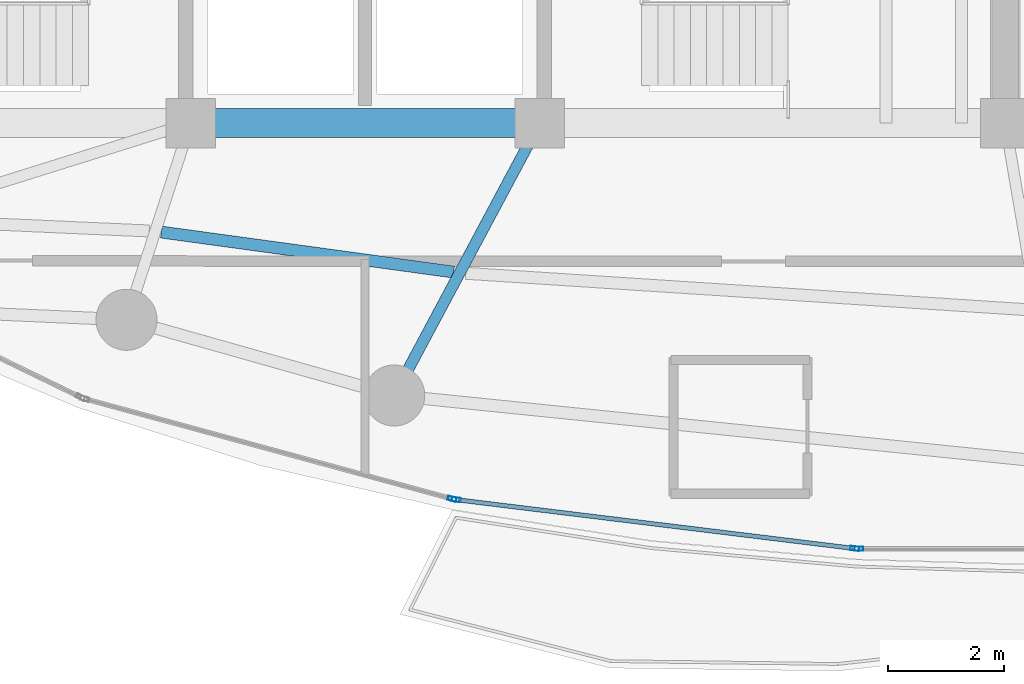
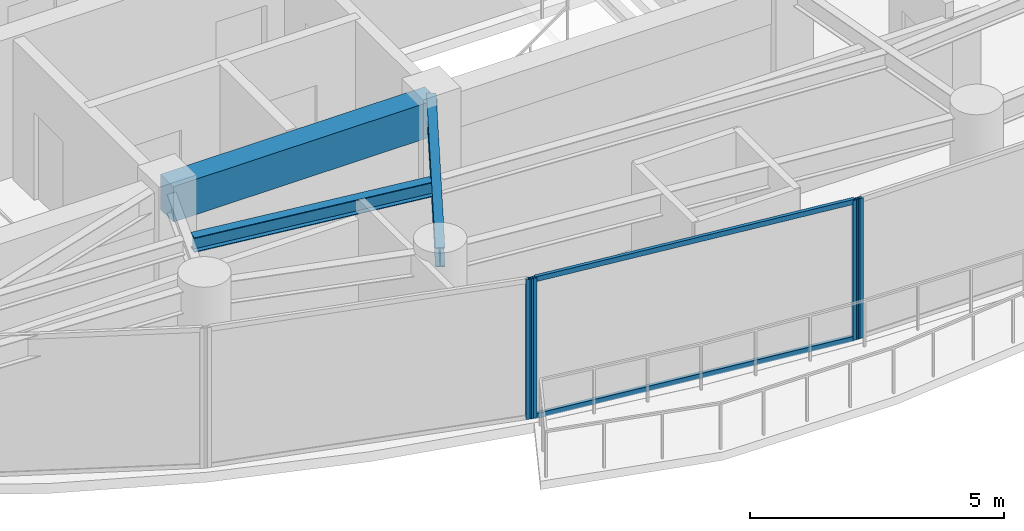
# One storey, part 5 of 29: 6 members, 3 beams, 3 elements without a shape of their own.
"""IFC4 building model written with IfcOpenShell, lengths in metres."""

from ifc_helpers import new_model, si_unit, direction, frame, origin, origin_2d, place, context, subcontext, project, spatial, rectangle, hollow_rectangle, i_section, extrude, material, layer, layer_set, material_profile, profile_set, type_object, element, aggregate, save


model = new_model("IFC4")

# Units and contexts
model_context = context("Model", 3, precision=1e-05, world=origin(), true_north=direction((0.0, 1.0)))
body_context = subcontext(model_context, "Body", "Model", "MODEL_VIEW")
ifc_project = project(units=[si_unit("LENGTHUNIT", "METRE"), si_unit("AREAUNIT", "SQUARE_METRE"), si_unit("VOLUMEUNIT", "CUBIC_METRE"), si_unit("PLANEANGLEUNIT", "RADIAN"), si_unit("MASSUNIT", "GRAM", prefix="KILO")], contexts=[model_context])

# Site, building, storey
site_placement = place(None, origin())
site = spatial("IfcSite", under=ifc_project, at=site_placement, CompositionType="ELEMENT")
building_placement = place(site_placement, origin())
building = spatial("IfcBuilding", under=site, at=building_placement, Name="Kazevale Care Tower and Concert Hall", CompositionType="ELEMENT")
storey_placement = place(building_placement, frame((0.0, 0.0, 195.60009765625)))
storey = spatial("IfcBuildingStorey", under=building, at=storey_placement, Name="L51", CompositionType="ELEMENT", Elevation=195.60009765625)

# Curtain wall, member
ifc_material_1 = material(Name="Aluminium 6063-T6 and Low-E Glass", Category="aluminium")
ifc_layer = layer(ifc_material_1, 0.179931640625)
ifc_layer_set = layer_set([ifc_layer], Name="Aluminium 6063-T6 and Low-E Glass")
curtain_wall_type = type_object("IfcCurtainWallType", Name="Sheltered Concave Balcony Curtain Wall CW-5", PredefinedType="NOTDEFINED", material=ifc_layer_set)
curtain_wall_1_placement = place(storey_placement, origin())
curtain_wall_1 = element("IfcCurtainWall", 1, at=curtain_wall_1_placement, inside=storey, type_object=curtain_wall_type, Name="cw:L51:f06", PredefinedType="NOTDEFINED")
ifc_material_2 = material(Name="Aluminium 6063-T6", Category="aluminium")
ifc_material_profile_1 = material_profile(ifc_material_2, hollow_rectangle(XDim=0.074951171875, YDim=0.14990234375, WallThickness=0.00390625, at=origin_2d()), Name="ALU75x150x4")
ifc_profile_set_1 = profile_set([ifc_material_profile_1], Name="Aluminium 6063-T6")
member_type_1 = type_object("IfcMemberType", Name="CW-5 Mullion ALU75x150x4", PredefinedType="MULLION", material=ifc_profile_set_1)
member_1_placement = place(storey_placement, frame((41.487548828125, 16.284912109375, 0.0), z_axis=(0.0, 0.0, 1.0), x_axis=(0.0, -1.0, 0.0)))
member_1 = element("IfcMember", 2, at=member_1_placement, type_object=member_type_1, Name="CW-5 mullion 2", PredefinedType="MULLION", context=body_context, shape_type="SweptSolid", body=[
    extrude(hollow_rectangle(XDim=0.074951171875, YDim=0.14990234375, WallThickness=0.00390625, at=origin_2d()), origin(), (0.0, 0.0, 1.0), 3.35986328125),
])
aggregate(curtain_wall_1, [member_1])

# Curtain wall, members
curtain_wall_2_placement = place(storey_placement, origin())
curtain_wall_2 = element("IfcCurtainWall", 3, at=curtain_wall_2_placement, inside=storey, type_object=curtain_wall_type, Name="cw:L51:f07", PredefinedType="NOTDEFINED")
member_2_placement = place(storey_placement, frame((41.412841796875, 16.28955078125, 0.0), z_axis=(0.0, 0.0, 1.0), x_axis=(-0.121650797964, -0.992572961225, 0.0)))
member_2 = element("IfcMember", 4, at=member_2_placement, type_object=member_type_1, Name="CW-5 mullion 1", PredefinedType="MULLION", context=body_context, shape_type="SweptSolid", body=[
    extrude(hollow_rectangle(XDim=0.074951171875, YDim=0.14990234375, WallThickness=0.00390625, at=origin_2d()), origin(), (0.0, 0.0, 1.0), 3.35986328125),
])
member_3_placement = place(storey_placement, frame((34.568115234375, 17.12841796875, 0.0), z_axis=(0.0, 0.0, 1.0), x_axis=(-0.121650797964, -0.992572961225, 0.0)))
member_3 = element("IfcMember", 5, at=member_3_placement, type_object=member_type_1, Name="CW-5 mullion 2", PredefinedType="MULLION", context=body_context, shape_type="SweptSolid", body=[
    extrude(hollow_rectangle(XDim=0.074951171875, YDim=0.14990234375, WallThickness=0.00390625, at=origin_2d()), origin(), (0.0, 0.0, 1.0), 3.35986328125),
])

# Curtain wall, member
curtain_wall_3_placement = place(storey_placement, origin())
curtain_wall_3 = element("IfcCurtainWall", 6, at=curtain_wall_3_placement, inside=storey, type_object=curtain_wall_type, Name="cw:L51:f08", PredefinedType="NOTDEFINED")
member_4_placement = place(storey_placement, frame((34.494873046875, 17.142822265625, 0.0), z_axis=(0.0, 0.0, 1.0), x_axis=(-0.262848968947, -0.964836991167, 0.0)))
member_4 = element("IfcMember", 7, at=member_4_placement, type_object=member_type_1, Name="CW-5 mullion 1", PredefinedType="MULLION", context=body_context, shape_type="SweptSolid", body=[
    extrude(hollow_rectangle(XDim=0.074951171875, YDim=0.14990234375, WallThickness=0.00390625, at=origin_2d()), origin(), (0.0, 0.0, 1.0), 3.35986328125),
])
aggregate(curtain_wall_3, [member_4])

# Member
ifc_material_profile_2 = material_profile(ifc_material_2, hollow_rectangle(XDim=0.074951171875, YDim=0.1201171875, WallThickness=0.00390625, at=origin_2d()), Name="ALU75x120x4")
ifc_profile_set_2 = profile_set([ifc_material_profile_2], Name="Aluminium 6063-T6")
member_type_2 = type_object("IfcMemberType", Name="CW-5 Transom ALU75x120x4", PredefinedType="USERDEFINED", material=ifc_profile_set_2)
member_5_placement = place(storey_placement, frame((41.37548828125, 16.294189453125, 0.037353515625), z_axis=(-0.992575633306, 0.121628993941, 0.0), x_axis=(-0.121628993941, -0.992575633306, 0.0)))
member_5 = element("IfcMember", 8, at=member_5_placement, type_object=member_type_2, Name="CW-5 transom 1.1", ObjectType="TRANSOM", PredefinedType="USERDEFINED", context=body_context, shape_type="SweptSolid", body=[
    extrude(hollow_rectangle(XDim=0.074951171875, YDim=0.1201171875, WallThickness=0.00390625, at=origin_2d()), origin(), (0.0, 0.0, 1.0), 6.820556640625),
])

member_6_placement = place(storey_placement, frame((41.37548828125, 16.294189453125, 3.322509765625), z_axis=(-0.992575633306, 0.121628993941, 0.0), x_axis=(-0.121628993941, -0.992575633306, 0.0)))
member_6 = element("IfcMember", 9, at=member_6_placement, type_object=member_type_2, Name="CW-5 transom 1.2", ObjectType="TRANSOM", PredefinedType="USERDEFINED", context=body_context, shape_type="SweptSolid", body=[
    extrude(hollow_rectangle(XDim=0.074951171875, YDim=0.1201171875, WallThickness=0.00390625, at=origin_2d()), origin(), (0.0, 0.0, 1.0), 6.820556640625),
])

aggregate(curtain_wall_2, [member_2, member_3, member_5, member_6])

# Beams
ifc_material_3 = material(Name="Concrete C60", Category="concrete")
ifc_material_profile_3 = material_profile(ifc_material_3, rectangle(XDim=0.5, YDim=0.85009765625, at=origin_2d()), Name="RC-B500x850")
ifc_profile_set_3 = profile_set([ifc_material_profile_3], Name="Concrete C60")
beam_type_1 = type_object("IfcBeamType", Name="Core Coupling Beam RC500x850", PredefinedType="LINTEL", material=ifc_profile_set_3)
beam_1_placement = place(storey_placement, frame((30.0, 23.60009765625, 2.934814453125), z_axis=(1.0, 0.0, 0.0), x_axis=(0.0, 1.0, 0.0)))
element("IfcBeam", 10, at=beam_1_placement, inside=storey, type_object=beam_type_1, Name="beam:L51:coretie:2", PredefinedType="LINTEL", context=body_context, shape_type="SweptSolid", body=[
    extrude(rectangle(XDim=0.5, YDim=0.85009765625, at=origin_2d()), origin(), (0.0, 0.0, 1.0), 6.0),
])
ifc_material_4 = material(Name="Steel ASTM A572 Gr 50", Category="steel")
ifc_material_profile_4 = material_profile(ifc_material_4, i_section(OverallWidth=0.19091796875, OverallDepth=0.4599609375, WebThickness=0.010009765625, FlangeThickness=0.01611328125, at=origin_2d()), Name="W460x82")
ifc_profile_set_4 = profile_set([ifc_material_profile_4], Name="Steel ASTM A572 Gr 50")
beam_type_2 = type_object("IfcBeamType", Name="Radial Floor Beam W460x82", PredefinedType="BEAM", material=ifc_profile_set_4)
beam_2_placement = place(storey_placement, frame((36.0, 23.60009765625, 3.1298828125), z_axis=(-0.471161293943, -0.88204707079, 0.0), x_axis=(0.88204707079, -0.471161293943, 0.0)))
element("IfcBeam", 11, at=beam_2_placement, inside=storey, type_object=beam_type_2, Name="beam:L51:rad:12", PredefinedType="BEAM", context=body_context, shape_type="SweptSolid", body=[
    extrude(i_section(OverallWidth=0.19091796875, OverallDepth=0.4599609375, WebThickness=0.010009765625, FlangeThickness=0.01611328125, at=origin_2d()), origin(), (0.0, 0.0, 1.0), 5.30615234375),
])
ifc_material_profile_5 = material_profile(ifc_material_4, i_section(OverallWidth=0.205078125, OverallDepth=0.35400390625, WebThickness=0.009521484375, FlangeThickness=0.016845703125, at=origin_2d()), Name="W360x79")
ifc_profile_set_5 = profile_set([ifc_material_profile_5], Name="Steel ASTM A572 Gr 50")
beam_type_3 = type_object("IfcBeamType", Name="Secondary Floor Joist W360x79", PredefinedType="JOIST", material=ifc_profile_set_5)
beam_3_placement = place(storey_placement, frame((29.4990234375, 21.72705078125, 3.182861328125), z_axis=(0.990772043119, -0.13553877148, 0.0), x_axis=(0.13553877148, 0.990772043119, 0.0)))
element("IfcBeam", 12, at=beam_3_placement, inside=storey, type_object=beam_type_3, Name="beam:L51:joist:11", PredefinedType="JOIST", context=body_context, shape_type="SweptSolid", body=[
    extrude(i_section(OverallWidth=0.205078125, OverallDepth=0.35400390625, WebThickness=0.009521484375, FlangeThickness=0.016845703125, at=origin_2d()), origin(), (0.0, 0.0, 1.0), 5.06884765625),
])

save(model, "model.ifc")
